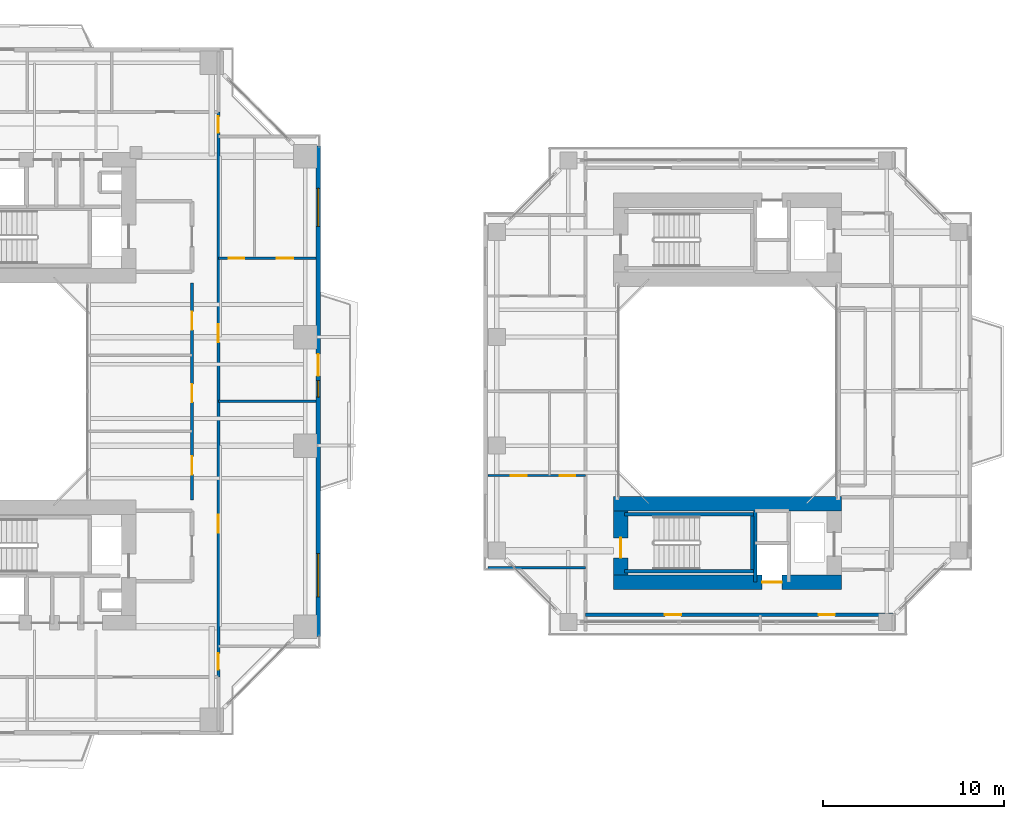
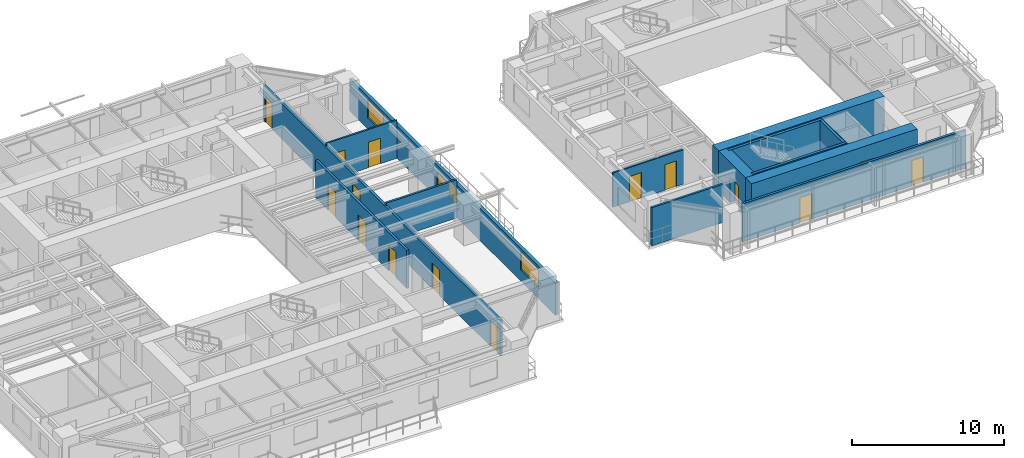
# One storey, part 15 of 24: 16 doors, 15 walls, 3 windows, 19 openings.
"""IFC4 building model written with IfcOpenShell, lengths in metres."""

from ifc_helpers import new_model, si_unit, direction, frame, frame_2d, origin, place, context, subcontext, project, spatial, rectangle, extrude, source, transform, mapped, material, layer, layer_set, type_object, element, fill, save


model = new_model("IFC4")

# Units and contexts
model_context = context("Model", 3, precision=1e-05, world=origin(), true_north=direction((0.0, 1.0)))
body_context = subcontext(model_context, "Body", "Model", "MODEL_VIEW")
ifc_project = project(units=[si_unit("LENGTHUNIT", "METRE"), si_unit("AREAUNIT", "SQUARE_METRE"), si_unit("VOLUMEUNIT", "CUBIC_METRE"), si_unit("PLANEANGLEUNIT", "RADIAN"), si_unit("MASSUNIT", "GRAM", prefix="KILO"), si_unit("THERMODYNAMICTEMPERATUREUNIT", "KELVIN"), si_unit("POWERUNIT", "WATT")], contexts=[model_context])

# Site, building, storey
site_placement = place(None, origin())
site = spatial("IfcSite", under=ifc_project, at=site_placement, CompositionType="ELEMENT")
building_placement = place(site_placement, origin())
building = spatial("IfcBuilding", under=site, at=building_placement, Name="Qiaomeng Ring Towers", CompositionType="ELEMENT")
storey_placement = place(building_placement, frame((0.0, 0.0, 63.25)))
storey = spatial("IfcBuildingStorey", under=building, at=storey_placement, Name="L17", CompositionType="ELEMENT", Elevation=63.25)

# Wall, openings, windows, door
ifc_material_1 = material(Name="Precast concrete C40", Category="concrete")
ifc_layer_1 = layer(ifc_material_1, 0.25, Name="Precast concrete C40")
ifc_layer_set_1 = layer_set([ifc_layer_1], Name="Precast concrete C40")
wall_type_1 = type_object("IfcWallType", Name="ARC-WL-EW1", PredefinedType="STANDARD", material=ifc_layer_set_1)
wall_1_placement = place(storey_placement, frame((37.875, 9.449951171875, 0.0), z_axis=(0.0, 0.0, 1.0), x_axis=(0.0, 1.0, 0.0)))
wall_1 = element("IfcWall", 1, at=wall_1_placement, inside=storey, type_object=wall_type_1, Name="L17 Tower 1 E Exterior Wall", PredefinedType="STANDARD", context=body_context, shape_type="SweptSolid", body=[
    extrude(rectangle(XDim=27.10009765625, YDim=0.25, at=frame_2d((13.550048828125, 0.0))), origin(), (0.0, 0.0, 1.0), 2.610107421875),
])
opening_1_placement = place(wall_1_placement, frame((14.39990234375, 0.0, 0.0)))
opening_1 = element("IfcOpeningElement", 2, at=opening_1_placement, cuts=wall_1, Name="Opening BD1", PredefinedType="OPENING", context=body_context, shape_type="SweptSolid", body=[
    extrude(rectangle(XDim=1.199951171875, YDim=2.10009765625, at=frame_2d((0.60009765625, 1.050048828125))), frame((0.0, 0.135009765625, 0.0), z_axis=(0.0, -1.0, 0.0), x_axis=(1.0, 0.0, 0.0)), (0.0, 0.0, 1.0), 0.27001953125),
])
opening_2_placement = place(wall_1_placement, frame((2.18798828125, 0.0, 0.89990234375)))
opening_2 = element("IfcOpeningElement", 3, at=opening_2_placement, cuts=wall_1, Name="Opening WN6", PredefinedType="OPENING", context=body_context, shape_type="SweptSolid", body=[
    extrude(rectangle(XDim=2.39990234375, YDim=1.47998046875, at=frame_2d((1.199951171875, 0.739990234375))), frame((0.0, 0.135009765625, 0.0), z_axis=(0.0, -1.0, 0.0), x_axis=(1.0, 0.0, 0.0)), (0.0, 0.0, 1.0), 0.27001953125),
])
opening_3_placement = place(wall_1_placement, frame((22.6630859375, 0.0, 0.89990234375)))
opening_3 = element("IfcOpeningElement", 4, at=opening_3_placement, cuts=wall_1, Name="Opening WN4", PredefinedType="OPENING", context=body_context, shape_type="SweptSolid", body=[
    extrude(rectangle(XDim=2.10009765625, YDim=1.47998046875, at=frame_2d((1.050048828125, 0.739990234375))), frame((0.0, 0.135009765625, 0.0), z_axis=(0.0, -1.0, 0.0), x_axis=(1.0, 0.0, 0.0)), (0.0, 0.0, 1.0), 0.27001953125),
])
opening_4_placement = place(wall_1_placement, frame((13.235107421875, 0.0, 0.89990234375)))
opening_4 = element("IfcOpeningElement", 5, at=opening_4_placement, cuts=wall_1, Name="Opening WN5", PredefinedType="OPENING", context=body_context, shape_type="SweptSolid", body=[
    extrude(rectangle(XDim=0.89990234375, YDim=1.199951171875, at=frame_2d((0.449951171875, 0.60009765625))), frame((0.0, 0.135009765625, 0.0), z_axis=(0.0, -1.0, 0.0), x_axis=(1.0, 0.0, 0.0)), (0.0, 0.0, 1.0), 0.27001953125),
])
ifc_material_2 = material(Name="Low-E dark-grey laminated double glazing", Category="glass")
window_type_1 = type_object("IfcWindowType", Name="ARC-WN-4", PartitioningType="TRIPLE_PANEL_VERTICAL", PredefinedType="WINDOW", material=ifc_material_2)
shared_shape_1 = source(origin(), body_context, "Body", "SweptSolid", [
    extrude(rectangle(XDim=2.10009765625, YDim=1.47998046875, at=frame_2d((1.050048828125, 0.739990234375))), frame((0.0, 0.030029296875, 0.0), z_axis=(0.0, -1.0, 0.0), x_axis=(1.0, 0.0, 0.0)), (0.0, 0.0, 1.0), 0.06005859375),
])
window_1_placement = place(opening_3_placement, origin())
window_1 = element("IfcWindow", 6, at=window_1_placement, inside=storey, type_object=window_type_1, Name="L17 Exterior Window WN4", OverallHeight=1.47998046875, OverallWidth=2.10009765625, PartitioningType="TRIPLE_PANEL_VERTICAL", PredefinedType="WINDOW", context=body_context, shape_type="MappedRepresentation", body=[
    mapped(shared_shape_1, transform((0.0, 0.0, 0.0), x_axis=(1.0, 0.0, 0.0), y_axis=(0.0, 1.0, 0.0), z_axis=(0.0, 0.0, 1.0), scale=1.0)),
])
fill(opening_3, window_1)
window_type_2 = type_object("IfcWindowType", Name="ARC-WN-6", PartitioningType="TRIPLE_PANEL_VERTICAL", PredefinedType="WINDOW", material=ifc_material_2)
shared_shape_2 = source(origin(), body_context, "Body", "SweptSolid", [
    extrude(rectangle(XDim=2.39990234375, YDim=1.47998046875, at=frame_2d((1.199951171875, 0.739990234375))), frame((0.0, 0.030029296875, 0.0), z_axis=(0.0, -1.0, 0.0), x_axis=(1.0, 0.0, 0.0)), (0.0, 0.0, 1.0), 0.06005859375),
])
window_2_placement = place(opening_2_placement, origin())
window_2 = element("IfcWindow", 7, at=window_2_placement, inside=storey, type_object=window_type_2, Name="L17 Exterior Window WN6", OverallHeight=1.47998046875, OverallWidth=2.39990234375, PartitioningType="TRIPLE_PANEL_VERTICAL", PredefinedType="WINDOW", context=body_context, shape_type="MappedRepresentation", body=[
    mapped(shared_shape_2, transform((0.0, 0.0, 0.0), x_axis=(1.0, 0.0, 0.0), y_axis=(0.0, 1.0, 0.0), z_axis=(0.0, 0.0, 1.0), scale=1.0)),
])
fill(opening_2, window_2)
door_type_1 = type_object("IfcDoorType", Name="ARC-DR-BD1", OperationType="NOTDEFINED", PredefinedType="DOOR", material=ifc_material_2)
shared_shape_3 = source(origin(), body_context, "Body", "SweptSolid", [
    extrude(rectangle(XDim=1.199951171875, YDim=2.10009765625, at=frame_2d((0.60009765625, 1.050048828125))), frame((0.0, 0.02490234375, 0.0), z_axis=(0.0, -1.0, 0.0), x_axis=(1.0, 0.0, 0.0)), (0.0, 0.0, 1.0), 0.050048828125),
])
door_1_placement = place(opening_1_placement, origin())
door_1 = element("IfcDoor", 8, at=door_1_placement, inside=storey, type_object=door_type_1, Name="L17 E Balcony Glazed Door", OperationType="SINGLE_SWING_LEFT", OverallHeight=2.10009765625, OverallWidth=1.199951171875, PredefinedType="DOOR", context=body_context, shape_type="MappedRepresentation", body=[
    mapped(shared_shape_3, transform((0.0, 0.0, 0.0), x_axis=(1.0, 0.0, 0.0), y_axis=(0.0, 1.0, 0.0), z_axis=(0.0, 0.0, 1.0), scale=1.0)),
])
fill(opening_1, door_1)
window_type_3 = type_object("IfcWindowType", Name="ARC-WN-5", PartitioningType="SINGLE_PANEL", PredefinedType="WINDOW", material=ifc_material_2)
shared_shape_4 = source(origin(), body_context, "Body", "SweptSolid", [
    extrude(rectangle(XDim=0.89990234375, YDim=1.199951171875, at=frame_2d((0.449951171875, 0.60009765625))), frame((0.0, 0.030029296875, 0.0), z_axis=(0.0, -1.0, 0.0), x_axis=(1.0, 0.0, 0.0)), (0.0, 0.0, 1.0), 0.06005859375),
])
window_3_placement = place(opening_4_placement, origin())
window_3 = element("IfcWindow", 9, at=window_3_placement, inside=storey, type_object=window_type_3, Name="L17 Exterior Window WN5", OverallHeight=1.199951171875, OverallWidth=0.89990234375, PartitioningType="SINGLE_PANEL", PredefinedType="WINDOW", context=body_context, shape_type="MappedRepresentation", body=[
    mapped(shared_shape_4, transform((0.0, 0.0, 0.0), x_axis=(1.0, 0.0, 0.0), y_axis=(0.0, 1.0, 0.0), z_axis=(0.0, 0.0, 1.0), scale=1.0)),
])
fill(opening_4, window_3)

# Wall, openings, doors
ifc_material_3 = material(Name="Autoclaved aerated concrete block", Category="concrete")
ifc_layer_2 = layer(ifc_material_3, 0.179931640625, Name="Autoclaved aerated concrete block")
ifc_layer_set_2 = layer_set([ifc_layer_2], Name="Autoclaved aerated concrete block")
wall_type_2 = type_object("IfcWallType", Name="ARC-WL-PW2", PredefinedType="PARTITIONING", material=ifc_layer_set_2)
wall_2_placement = place(storey_placement, frame((32.360107421875, 7.2099609375, 0.0), z_axis=(0.0, 0.0, 1.0), x_axis=(0.0, 1.0, 0.0)))
wall_2 = element("IfcWall", 10, at=wall_2_placement, inside=storey, type_object=wall_type_2, Name="L17 Interior Wall PW2", PredefinedType="PARTITIONING", context=body_context, shape_type="SweptSolid", body=[
    extrude(rectangle(XDim=31.22998046875, YDim=0.179931640625, at=frame_2d((15.614990234375, 0.0))), origin(), (0.0, 0.0, 1.0), 2.864990234375),
])
opening_5_placement = place(wall_2_placement, frame((30.090087890625, 0.0, 0.0)))
opening_5 = element("IfcOpeningElement", 11, at=opening_5_placement, cuts=wall_2, Name="Opening ID1", PredefinedType="OPENING", context=body_context, shape_type="SweptSolid", body=[
    extrude(rectangle(XDim=0.89990234375, YDim=2.050048828125, at=frame_2d((0.449951171875, 1.02490234375))), frame((0.0, 0.099853515625, 0.0), z_axis=(0.0, -1.0, 0.0), x_axis=(1.0, 0.0, 0.0)), (0.0, 0.0, 1.0), 0.199951171875),
])
opening_6_placement = place(wall_2_placement, frame((0.4150390625, 0.0, 0.0)))
opening_6 = element("IfcOpeningElement", 12, at=opening_6_placement, cuts=wall_2, Name="Opening ID1", PredefinedType="OPENING", context=body_context, shape_type="SweptSolid", body=[
    extrude(rectangle(XDim=0.89990234375, YDim=2.050048828125, at=frame_2d((0.449951171875, 1.02490234375))), frame((0.0, 0.099853515625, 0.0), z_axis=(0.0, -1.0, 0.0), x_axis=(1.0, 0.0, 0.0)), (0.0, 0.0, 1.0), 0.199951171875),
])
opening_7_placement = place(wall_2_placement, frame((7.97509765625, 0.0, 0.0)))
opening_7 = element("IfcOpeningElement", 13, at=opening_7_placement, cuts=wall_2, Name="Opening FD4", PredefinedType="OPENING", context=body_context, shape_type="SweptSolid", body=[
    extrude(rectangle(XDim=1.0, YDim=2.050048828125, at=frame_2d((0.5, 1.02490234375))), frame((0.0, 0.099853515625, 0.0), z_axis=(0.0, -1.0, 0.0), x_axis=(1.0, 0.0, 0.0)), (0.0, 0.0, 1.0), 0.199951171875),
])
opening_8_placement = place(wall_2_placement, frame((18.5, 0.0, 0.0)))
opening_8 = element("IfcOpeningElement", 14, at=opening_8_placement, cuts=wall_2, Name="Opening FD4", PredefinedType="OPENING", context=body_context, shape_type="SweptSolid", body=[
    extrude(rectangle(XDim=1.0, YDim=2.050048828125, at=frame_2d((0.5, 1.02490234375))), frame((0.0, 0.099853515625, 0.0), z_axis=(0.0, -1.0, 0.0), x_axis=(1.0, 0.0, 0.0)), (0.0, 0.0, 1.0), 0.199951171875),
])
ifc_material_4 = material(Name="Engineered fire-rated oak timber", Category="wood")
door_type_2 = type_object("IfcDoorType", Name="ARC-DR-FD4", OperationType="NOTDEFINED", PredefinedType="DOOR", material=ifc_material_4)
shared_shape_5 = source(origin(), body_context, "Body", "SweptSolid", [
    extrude(rectangle(XDim=1.0, YDim=2.050048828125, at=frame_2d((0.5, 1.02490234375))), frame((0.0, 0.02490234375, 0.0), z_axis=(0.0, -1.0, 0.0), x_axis=(1.0, 0.0, 0.0)), (0.0, 0.0, 1.0), 0.050048828125),
])
door_2_placement = place(opening_7_placement, origin())
door_2 = element("IfcDoor", 15, at=door_2_placement, inside=storey, type_object=door_type_2, Name="L17 Door FD4", OperationType="SINGLE_SWING_RIGHT", OverallHeight=2.050048828125, OverallWidth=1.0, PredefinedType="DOOR", context=body_context, shape_type="MappedRepresentation", body=[
    mapped(shared_shape_5, transform((0.0, 0.0, 0.0), x_axis=(1.0, 0.0, 0.0), y_axis=(0.0, 1.0, 0.0), z_axis=(0.0, 0.0, 1.0), scale=1.0)),
])
fill(opening_7, door_2)
door_3_placement = place(opening_8_placement, origin())
door_3 = element("IfcDoor", 16, at=door_3_placement, inside=storey, type_object=door_type_2, Name="L17 Door FD4", OperationType="SINGLE_SWING_LEFT", OverallHeight=2.050048828125, OverallWidth=1.0, PredefinedType="DOOR", context=body_context, shape_type="MappedRepresentation", body=[
    mapped(shared_shape_5, transform((0.0, 0.0, 0.0), x_axis=(1.0, 0.0, 0.0), y_axis=(0.0, 1.0, 0.0), z_axis=(0.0, 0.0, 1.0), scale=1.0)),
])
fill(opening_8, door_3)
ifc_material_5 = material(Name="Engineered oak timber", Category="wood")
door_type_3 = type_object("IfcDoorType", Name="ARC-DR-ID1", OperationType="NOTDEFINED", PredefinedType="DOOR", material=ifc_material_5)
shared_shape_6 = source(origin(), body_context, "Body", "SweptSolid", [
    extrude(rectangle(XDim=0.89990234375, YDim=2.050048828125, at=frame_2d((0.449951171875, 1.02490234375))), frame((0.0, 0.02490234375, 0.0), z_axis=(0.0, -1.0, 0.0), x_axis=(1.0, 0.0, 0.0)), (0.0, 0.0, 1.0), 0.050048828125),
])
door_4_placement = place(opening_5_placement, origin())
door_4 = element("IfcDoor", 17, at=door_4_placement, inside=storey, type_object=door_type_3, Name="L17 Door ID1", OperationType="SINGLE_SWING_RIGHT", OverallHeight=2.050048828125, OverallWidth=0.89990234375, PredefinedType="DOOR", context=body_context, shape_type="MappedRepresentation", body=[
    mapped(shared_shape_6, transform((0.0, 0.0, 0.0), x_axis=(1.0, 0.0, 0.0), y_axis=(0.0, 1.0, 0.0), z_axis=(0.0, 0.0, 1.0), scale=1.0)),
])
fill(opening_5, door_4)
door_5_placement = place(opening_6_placement, origin())
door_5 = element("IfcDoor", 18, at=door_5_placement, inside=storey, type_object=door_type_3, Name="L17 Door ID1", OperationType="SINGLE_SWING_LEFT", OverallHeight=2.050048828125, OverallWidth=0.89990234375, PredefinedType="DOOR", context=body_context, shape_type="MappedRepresentation", body=[
    mapped(shared_shape_6, transform((0.0, 0.0, 0.0), x_axis=(1.0, 0.0, 0.0), y_axis=(0.0, 1.0, 0.0), z_axis=(0.0, 0.0, 1.0), scale=1.0)),
])
fill(opening_6, door_5)

wall_3_placement = place(storey_placement, frame((30.89990234375, 17.0, 0.0), z_axis=(0.0, 0.0, 1.0), x_axis=(0.0, 1.0, 0.0)))
wall_3 = element("IfcWall", 19, at=wall_3_placement, inside=storey, type_object=wall_type_2, Name="L17 Interior Wall PW2", PredefinedType="PARTITIONING", context=body_context, shape_type="SweptSolid", body=[
    extrude(rectangle(XDim=12.0, YDim=0.179931640625, at=frame_2d((6.0, 0.0))), origin(), (0.0, 0.0, 1.0), 3.070068359375),
])
opening_9_placement = place(wall_3_placement, frame((1.39990234375, 0.0, 0.0)))
opening_9 = element("IfcOpeningElement", 20, at=opening_9_placement, cuts=wall_3, Name="Opening FD4", PredefinedType="OPENING", context=body_context, shape_type="SweptSolid", body=[
    extrude(rectangle(XDim=1.0, YDim=2.050048828125, at=frame_2d((0.5, 1.02490234375))), frame((0.0, 0.099853515625, 0.0), z_axis=(0.0, -1.0, 0.0), x_axis=(1.0, 0.0, 0.0)), (0.0, 0.0, 1.0), 0.199951171875),
])
opening_10_placement = place(wall_3_placement, frame((5.39990234375, 0.0, 0.0)))
opening_10 = element("IfcOpeningElement", 21, at=opening_10_placement, cuts=wall_3, Name="Opening FD4", PredefinedType="OPENING", context=body_context, shape_type="SweptSolid", body=[
    extrude(rectangle(XDim=1.0, YDim=2.050048828125, at=frame_2d((0.5, 1.02490234375))), frame((0.0, 0.099853515625, 0.0), z_axis=(0.0, -1.0, 0.0), x_axis=(1.0, 0.0, 0.0)), (0.0, 0.0, 1.0), 0.199951171875),
])
opening_11_placement = place(wall_3_placement, frame((9.39990234375, 0.0, 0.0)))
opening_11 = element("IfcOpeningElement", 22, at=opening_11_placement, cuts=wall_3, Name="Opening FD4", PredefinedType="OPENING", context=body_context, shape_type="SweptSolid", body=[
    extrude(rectangle(XDim=1.0, YDim=2.050048828125, at=frame_2d((0.5, 1.02490234375))), frame((0.0, 0.099853515625, 0.0), z_axis=(0.0, -1.0, 0.0), x_axis=(1.0, 0.0, 0.0)), (0.0, 0.0, 1.0), 0.199951171875),
])
door_6_placement = place(opening_9_placement, origin())
door_6 = element("IfcDoor", 23, at=door_6_placement, inside=storey, type_object=door_type_2, Name="L17 Door FD4", OperationType="SINGLE_SWING_RIGHT", OverallHeight=2.050048828125, OverallWidth=1.0, PredefinedType="DOOR", context=body_context, shape_type="MappedRepresentation", body=[
    mapped(shared_shape_5, transform((0.0, 0.0, 0.0), x_axis=(1.0, 0.0, 0.0), y_axis=(0.0, 1.0, 0.0), z_axis=(0.0, 0.0, 1.0), scale=1.0)),
])
fill(opening_9, door_6)
door_7_placement = place(opening_10_placement, origin())
door_7 = element("IfcDoor", 24, at=door_7_placement, inside=storey, type_object=door_type_2, Name="L17 Door FD4", OperationType="SINGLE_SWING_LEFT", OverallHeight=2.050048828125, OverallWidth=1.0, PredefinedType="DOOR", context=body_context, shape_type="MappedRepresentation", body=[
    mapped(shared_shape_5, transform((0.0, 0.0, 0.0), x_axis=(1.0, 0.0, 0.0), y_axis=(0.0, 1.0, 0.0), z_axis=(0.0, 0.0, 1.0), scale=1.0)),
])
fill(opening_10, door_7)
door_8_placement = place(opening_11_placement, origin())
door_8 = element("IfcDoor", 25, at=door_8_placement, inside=storey, type_object=door_type_2, Name="L17 Door FD4", OperationType="SINGLE_SWING_RIGHT", OverallHeight=2.050048828125, OverallWidth=1.0, PredefinedType="DOOR", context=body_context, shape_type="MappedRepresentation", body=[
    mapped(shared_shape_5, transform((0.0, 0.0, 0.0), x_axis=(1.0, 0.0, 0.0), y_axis=(0.0, 1.0, 0.0), z_axis=(0.0, 0.0, 1.0), scale=1.0)),
])
fill(opening_11, door_8)

wall_4_placement = place(storey_placement, frame((52.64990234375, 10.64990234375, 0.0), z_axis=(0.0, 0.0, 1.0), x_axis=(1.0, 0.0, 0.0)))
wall_4 = element("IfcWall", 26, at=wall_4_placement, inside=storey, type_object=wall_type_2, Name="L17 Interior Wall PW2", PredefinedType="PARTITIONING", context=body_context, shape_type="SweptSolid", body=[
    extrude(rectangle(XDim=17.0, YDim=0.179931640625, at=frame_2d((8.5, 0.0))), origin(), (0.0, 0.0, 1.0), 3.070068359375),
])
opening_12_placement = place(wall_4_placement, frame((4.375, 0.0, 0.0)))
opening_12 = element("IfcOpeningElement", 27, at=opening_12_placement, cuts=wall_4, Name="Opening ID1", PredefinedType="OPENING", context=body_context, shape_type="SweptSolid", body=[
    extrude(rectangle(XDim=0.89990234375, YDim=2.050048828125, at=frame_2d((0.449951171875, 1.02490234375))), frame((0.0, 0.099853515625, 0.0), z_axis=(0.0, -1.0, 0.0), x_axis=(1.0, 0.0, 0.0)), (0.0, 0.0, 1.0), 0.199951171875),
])
opening_13_placement = place(wall_4_placement, frame((12.875, 0.0, 0.0)))
opening_13 = element("IfcOpeningElement", 28, at=opening_13_placement, cuts=wall_4, Name="Opening ID1", PredefinedType="OPENING", context=body_context, shape_type="SweptSolid", body=[
    extrude(rectangle(XDim=0.89990234375, YDim=2.050048828125, at=frame_2d((0.449951171875, 1.02490234375))), frame((0.0, 0.099853515625, 0.0), z_axis=(0.0, -1.0, 0.0), x_axis=(1.0, 0.0, 0.0)), (0.0, 0.0, 1.0), 0.199951171875),
])
door_9_placement = place(opening_12_placement, origin())
door_9 = element("IfcDoor", 29, at=door_9_placement, inside=storey, type_object=door_type_3, Name="L17 Door ID1", OperationType="SINGLE_SWING_LEFT", OverallHeight=2.050048828125, OverallWidth=0.89990234375, PredefinedType="DOOR", context=body_context, shape_type="MappedRepresentation", body=[
    mapped(shared_shape_6, transform((0.0, 0.0, 0.0), x_axis=(1.0, 0.0, 0.0), y_axis=(0.0, 1.0, 0.0), z_axis=(0.0, 0.0, 1.0), scale=1.0)),
])
fill(opening_12, door_9)
door_10_placement = place(opening_13_placement, origin())
door_10 = element("IfcDoor", 30, at=door_10_placement, inside=storey, type_object=door_type_3, Name="L17 Door ID1", OperationType="SINGLE_SWING_RIGHT", OverallHeight=2.050048828125, OverallWidth=0.89990234375, PredefinedType="DOOR", context=body_context, shape_type="MappedRepresentation", body=[
    mapped(shared_shape_6, transform((0.0, 0.0, 0.0), x_axis=(1.0, 0.0, 0.0), y_axis=(0.0, 1.0, 0.0), z_axis=(0.0, 0.0, 1.0), scale=1.0)),
])
fill(opening_13, door_10)

# Walls
ifc_material_6 = material(Name="Gypsum fireboard steel-stud partition", Category="steel")
ifc_layer_3 = layer(ifc_material_6, 0.14990234375, Name="Gypsum fireboard steel-stud partition")
ifc_layer_set_3 = layer_set([ifc_layer_3], Name="Gypsum fireboard steel-stud partition")
wall_type_3 = type_object("IfcWallType", Name="ARC-WL-PW3", PredefinedType="PARTITIONING", material=ifc_layer_set_3)
wall_5_placement = place(storey_placement, frame((32.360107421875, 22.449951171875, 0.0), z_axis=(0.0, 0.0, 1.0), x_axis=(1.0, 0.0, 0.0)))
element("IfcWall", 31, at=wall_5_placement, inside=storey, type_object=wall_type_3, Name="L17 Interior Wall PW3", PredefinedType="PARTITIONING", context=body_context, shape_type="SweptSolid", body=[
    extrude(rectangle(XDim=5.389892578125, YDim=0.14990234375, at=frame_2d((2.69482421875, 0.0))), origin(), (0.0, 0.0, 1.0), 3.070068359375),
])
wall_6_placement = place(storey_placement, frame((47.25, 13.25, 0.0), z_axis=(0.0, 0.0, 1.0), x_axis=(1.0, 0.0, 0.0)))
element("IfcWall", 32, at=wall_6_placement, inside=storey, type_object=wall_type_3, Name="L17 Interior Wall PW3", PredefinedType="PARTITIONING", context=body_context, shape_type="SweptSolid", body=[
    extrude(rectangle(XDim=5.39990234375, YDim=0.14990234375, at=frame_2d((2.699951171875, 0.0))), origin(), (0.0, 0.0, 1.0), 3.070068359375),
])

# Wall, openings, doors
ifc_material_7 = material(Name="Moisture-resistant gypsum steel-stud partition", Category="steel")
ifc_layer_4 = layer(ifc_material_7, 0.1201171875, Name="Moisture-resistant gypsum steel-stud partition")
ifc_layer_set_4 = layer_set([ifc_layer_4], Name="Moisture-resistant gypsum steel-stud partition")
wall_type_4 = type_object("IfcWallType", Name="ARC-WL-PW4", PredefinedType="PLUMBINGWALL", material=ifc_layer_set_4)
wall_7_placement = place(storey_placement, frame((32.360107421875, 30.35009765625, 0.0), z_axis=(0.0, 0.0, 1.0), x_axis=(1.0, 0.0, 0.0)))
wall_7 = element("IfcWall", 33, at=wall_7_placement, inside=storey, type_object=wall_type_4, Name="L17 Interior Wall PW4", PredefinedType="PLUMBINGWALL", context=body_context, shape_type="SweptSolid", body=[
    extrude(rectangle(XDim=5.389892578125, YDim=0.1201171875, at=frame_2d((2.69482421875, 0.0))), origin(), (0.0, 0.0, 1.0), 3.070068359375),
])
opening_14_placement = place(wall_7_placement, frame((0.580078125, 0.0, 0.0)))
opening_14 = element("IfcOpeningElement", 34, at=opening_14_placement, cuts=wall_7, Name="Opening ID2", PredefinedType="OPENING", context=body_context, shape_type="SweptSolid", body=[
    extrude(rectangle(XDim=0.85009765625, YDim=2.050048828125, at=frame_2d((0.425048828125, 1.02490234375))), frame((0.0, 0.070068359375, 0.0), z_axis=(0.0, -1.0, 0.0), x_axis=(1.0, 0.0, 0.0)), (0.0, 0.0, 1.0), 0.14013671875),
])
opening_15_placement = place(wall_7_placement, frame((3.22998046875, 0.0, 0.0)))
opening_15 = element("IfcOpeningElement", 35, at=opening_15_placement, cuts=wall_7, Name="Opening ID1", PredefinedType="OPENING", context=body_context, shape_type="SweptSolid", body=[
    extrude(rectangle(XDim=0.89990234375, YDim=2.050048828125, at=frame_2d((0.449951171875, 1.02490234375))), frame((0.0, 0.070068359375, 0.0), z_axis=(0.0, -1.0, 0.0), x_axis=(1.0, 0.0, 0.0)), (0.0, 0.0, 1.0), 0.14013671875),
])
ifc_material_8 = material(Name="Moisture-resistant engineered timber", Category="wood")
door_type_4 = type_object("IfcDoorType", Name="ARC-DR-ID2", OperationType="NOTDEFINED", PredefinedType="DOOR", material=ifc_material_8)
shared_shape_7 = source(origin(), body_context, "Body", "SweptSolid", [
    extrude(rectangle(XDim=0.85009765625, YDim=2.050048828125, at=frame_2d((0.425048828125, 1.02490234375))), frame((0.0, 0.02490234375, 0.0), z_axis=(0.0, -1.0, 0.0), x_axis=(1.0, 0.0, 0.0)), (0.0, 0.0, 1.0), 0.050048828125),
])
door_11_placement = place(opening_14_placement, origin())
door_11 = element("IfcDoor", 36, at=door_11_placement, inside=storey, type_object=door_type_4, Name="L17 Door ID2", OperationType="SINGLE_SWING_LEFT", OverallHeight=2.050048828125, OverallWidth=0.85009765625, PredefinedType="DOOR", context=body_context, shape_type="MappedRepresentation", body=[
    mapped(shared_shape_7, transform((0.0, 0.0, 0.0), x_axis=(1.0, 0.0, 0.0), y_axis=(0.0, 1.0, 0.0), z_axis=(0.0, 0.0, 1.0), scale=1.0)),
])
fill(opening_14, door_11)
door_12_placement = place(opening_15_placement, origin())
door_12 = element("IfcDoor", 37, at=door_12_placement, inside=storey, type_object=door_type_3, Name="L17 Door ID1", OperationType="SINGLE_SWING_RIGHT", OverallHeight=2.050048828125, OverallWidth=0.89990234375, PredefinedType="DOOR", context=body_context, shape_type="MappedRepresentation", body=[
    mapped(shared_shape_6, transform((0.0, 0.0, 0.0), x_axis=(1.0, 0.0, 0.0), y_axis=(0.0, 1.0, 0.0), z_axis=(0.0, 0.0, 1.0), scale=1.0)),
])
fill(opening_15, door_12)

wall_8_placement = place(storey_placement, frame((47.25, 18.340087890625, 0.0), z_axis=(0.0, 0.0, 1.0), x_axis=(1.0, 0.0, 0.0)))
wall_8 = element("IfcWall", 38, at=wall_8_placement, inside=storey, type_object=wall_type_4, Name="L17 Interior Wall PW4", PredefinedType="PLUMBINGWALL", context=body_context, shape_type="SweptSolid", body=[
    extrude(rectangle(XDim=5.39990234375, YDim=0.1201171875, at=frame_2d((2.699951171875, 0.0))), origin(), (0.0, 0.0, 1.0), 2.77099609375),
])
opening_16_placement = place(wall_8_placement, frame((1.260009765625, 0.0, 0.0)))
opening_16 = element("IfcOpeningElement", 39, at=opening_16_placement, cuts=wall_8, Name="Opening ID1", PredefinedType="OPENING", context=body_context, shape_type="SweptSolid", body=[
    extrude(rectangle(XDim=0.89990234375, YDim=2.050048828125, at=frame_2d((0.449951171875, 1.02490234375))), frame((0.0, 0.070068359375, 0.0), z_axis=(0.0, -1.0, 0.0), x_axis=(1.0, 0.0, 0.0)), (0.0, 0.0, 1.0), 0.14013671875),
])
opening_17_placement = place(wall_8_placement, frame((3.965087890625, 0.0, 0.0)))
opening_17 = element("IfcOpeningElement", 40, at=opening_17_placement, cuts=wall_8, Name="Opening ID2", PredefinedType="OPENING", context=body_context, shape_type="SweptSolid", body=[
    extrude(rectangle(XDim=0.85009765625, YDim=2.050048828125, at=frame_2d((0.425048828125, 1.02490234375))), frame((0.0, 0.070068359375, 0.0), z_axis=(0.0, -1.0, 0.0), x_axis=(1.0, 0.0, 0.0)), (0.0, 0.0, 1.0), 0.14013671875),
])
door_13_placement = place(opening_17_placement, origin())
door_13 = element("IfcDoor", 41, at=door_13_placement, inside=storey, type_object=door_type_4, Name="L17 Door ID2", OperationType="SINGLE_SWING_RIGHT", OverallHeight=2.050048828125, OverallWidth=0.85009765625, PredefinedType="DOOR", context=body_context, shape_type="MappedRepresentation", body=[
    mapped(shared_shape_7, transform((0.0, 0.0, 0.0), x_axis=(1.0, 0.0, 0.0), y_axis=(0.0, 1.0, 0.0), z_axis=(0.0, 0.0, 1.0), scale=1.0)),
])
fill(opening_17, door_13)
door_14_placement = place(opening_16_placement, origin())
door_14 = element("IfcDoor", 42, at=door_14_placement, inside=storey, type_object=door_type_3, Name="L17 Door ID1", OperationType="SINGLE_SWING_LEFT", OverallHeight=2.050048828125, OverallWidth=0.89990234375, PredefinedType="DOOR", context=body_context, shape_type="MappedRepresentation", body=[
    mapped(shared_shape_6, transform((0.0, 0.0, 0.0), x_axis=(1.0, 0.0, 0.0), y_axis=(0.0, 1.0, 0.0), z_axis=(0.0, 0.0, 1.0), scale=1.0)),
])
fill(opening_16, door_14)

# Walls
ifc_material_9 = material(Name="Concrete C40", Category="concrete")
ifc_layer_5 = layer(ifc_material_9, 0.199951171875, Name="Concrete C40")
ifc_layer_set_5 = layer_set([ifc_layer_5], Name="Concrete C40")
wall_type_5 = type_object("IfcWallType", Name="STR-WL-STSHAFT", PredefinedType="SHEAR", material=ifc_layer_set_5)
wall_9_placement = place(storey_placement, frame((62.02001953125, 12.449951171875, 0.0), z_axis=(0.0, 0.0, 1.0), x_axis=(0.0, 1.0, 0.0)))
element("IfcWall", 43, at=wall_9_placement, inside=storey, type_object=wall_type_5, Name="L17 Companion Lift Shaft West Wall S", PredefinedType="SHEAR", context=body_context, shape_type="SweptSolid", body=[
    extrude(rectangle(XDim=3.949951171875, YDim=0.179931640625, at=frame_2d((1.97509765625, 0.0))), origin(), (0.0, 0.0, 1.0), 3.070068359375),
])
for number, where, z_axis, x_axis, name in (
    (44, (54.800048828125, 13.06005859375, 0.0), (0.0, 0.0, 1.0), (1.0, 0.0, 0.0), "L17 Stair ST6 South Shaft Shear Wall"),
    (45, (54.800048828125, 16.199951171875, 0.0), (0.0, 0.0, 1.0), (1.0, 0.0, 0.0), "L17 Stair ST6 North Shaft Shear Wall"),
):
    element("IfcWall", number, at=place(storey_placement, frame(where, z_axis=z_axis, x_axis=x_axis)), inside=storey, type_object=wall_type_5, Name=name, PredefinedType="SHEAR", context=body_context, shape_type="SweptSolid", body=[
        extrude(rectangle(XDim=7.14990234375, YDim=0.199951171875, at=frame_2d((3.574951171875, 0.0))), origin(), (0.0, 0.0, 1.0), 3.25),
    ])
wall_10_placement = place(storey_placement, frame((61.85009765625, 13.159912109375, 0.0), z_axis=(0.0, 0.0, 1.0), x_axis=(0.0, 1.0, 0.0)))
element("IfcWall", 46, at=wall_10_placement, inside=storey, type_object=wall_type_5, Name="L17 Stair ST6 East Shaft Shear Wall", PredefinedType="SHEAR", context=body_context, shape_type="SweptSolid", body=[
    extrude(rectangle(XDim=2.940185546875, YDim=0.199951171875, at=frame_2d((1.47021484375, 0.0))), origin(), (0.0, 0.0, 1.0), 3.25),
])

# Wall, opening, door
ifc_material_10 = material(Name="Concrete C60", Category="concrete")
ifc_layer_6 = layer(ifc_material_10, 0.800048828125, Name="Concrete C60")
ifc_layer_set_6 = layer_set([ifc_layer_6], Name="Concrete C60")
wall_type_6 = type_object("IfcWallType", Name="STR-WL-SW1", PredefinedType="SHEAR", material=ifc_layer_set_6)
wall_11_placement = place(storey_placement, frame((54.199951171875, 12.449951171875, 0.0), z_axis=(0.0, 0.0, 1.0), x_axis=(1.0, 0.0, 0.0)))
wall_11 = element("IfcWall", 47, at=wall_11_placement, inside=storey, type_object=wall_type_6, Name="L17 T2SC south core shear wall", PredefinedType="SHEAR", context=body_context, shape_type="SweptSolid", body=[
    extrude(rectangle(XDim=12.60009765625, YDim=0.800048828125, at=frame_2d((6.300048828125, 0.0))), origin(), (0.0, 0.0, 1.0), 3.25),
])
opening_18_placement = place(wall_11_placement, frame((8.199951171875, 0.0, 0.0)))
opening_18 = element("IfcOpeningElement", 48, at=opening_18_placement, cuts=wall_11, Name="Opening LD1", PredefinedType="OPENING", context=body_context, shape_type="SweptSolid", body=[
    extrude(rectangle(XDim=1.10009765625, YDim=2.050048828125, at=frame_2d((0.550048828125, 1.02490234375))), frame((0.0, 0.409912109375, 0.0), z_axis=(0.0, -1.0, 0.0), x_axis=(1.0, 0.0, 0.0)), (0.0, 0.0, 1.0), 0.820068359375),
])
ifc_material_11 = material(Name="Stainless steel 316", Category="steel")
door_type_5 = type_object("IfcDoorType", Name="ARC-DR-LD1", OperationType="NOTDEFINED", PredefinedType="DOOR", material=ifc_material_11)
shared_shape_8 = source(origin(), body_context, "Body", "SweptSolid", [
    extrude(rectangle(XDim=1.10009765625, YDim=2.050048828125, at=frame_2d((0.550048828125, 1.02490234375))), frame((0.0, 0.02490234375, 0.0), z_axis=(0.0, -1.0, 0.0), x_axis=(1.0, 0.0, 0.0)), (0.0, 0.0, 1.0), 0.050048828125),
])
door_15_placement = place(opening_18_placement, origin())
door_15 = element("IfcDoor", 49, at=door_15_placement, inside=storey, type_object=door_type_5, Name="L17 Companion Lift LP8 Landing Door", OperationType="SLIDING_TO_RIGHT", OverallHeight=2.050048828125, OverallWidth=1.10009765625, PredefinedType="DOOR", context=body_context, shape_type="MappedRepresentation", body=[
    mapped(shared_shape_8, transform((0.0, 0.0, 0.0), x_axis=(1.0, 0.0, 0.0), y_axis=(0.0, 1.0, 0.0), z_axis=(0.0, 0.0, 1.0), scale=1.0)),
])
fill(opening_18, door_15)

# Wall
wall_12_placement = place(storey_placement, frame((54.199951171875, 16.800048828125, 0.0), z_axis=(0.0, 0.0, 1.0), x_axis=(1.0, 0.0, 0.0)))
element("IfcWall", 50, at=wall_12_placement, inside=storey, type_object=wall_type_6, Name="L17 T2SC north core shear wall", PredefinedType="SHEAR", context=body_context, shape_type="SweptSolid", body=[
    extrude(rectangle(XDim=12.60009765625, YDim=0.800048828125, at=frame_2d((6.300048828125, 0.0))), origin(), (0.0, 0.0, 1.0), 3.25),
])

# Wall, opening, door
wall_13_placement = place(storey_placement, frame((54.60009765625, 12.85009765625, 0.0), z_axis=(0.0, 0.0, 1.0), x_axis=(0.0, 1.0, 0.0)))
wall_13 = element("IfcWall", 51, at=wall_13_placement, inside=storey, type_object=wall_type_6, Name="L17 T2SC west core shear wall", PredefinedType="SHEAR", context=body_context, shape_type="SweptSolid", body=[
    extrude(rectangle(XDim=3.5498046875, YDim=0.800048828125, at=frame_2d((1.77490234375, 0.0))), origin(), (0.0, 0.0, 1.0), 3.25),
])
opening_19_placement = place(wall_13_placement, frame((0.949951171875, 0.0, 0.0)))
opening_19 = element("IfcOpeningElement", 52, at=opening_19_placement, cuts=wall_13, Name="Opening FD3", PredefinedType="OPENING", context=body_context, shape_type="SweptSolid", body=[
    extrude(rectangle(XDim=1.10009765625, YDim=2.050048828125, at=frame_2d((0.550048828125, 1.02490234375))), frame((0.0, 0.409912109375, 0.0), z_axis=(0.0, -1.0, 0.0), x_axis=(1.0, 0.0, 0.0)), (0.0, 0.0, 1.0), 0.820068359375),
])
ifc_material_12 = material(Name="Galvanised steel", Category="steel")
door_type_6 = type_object("IfcDoorType", Name="ARC-DR-FD3", OperationType="NOTDEFINED", PredefinedType="DOOR", material=ifc_material_12)
door_16_placement = place(opening_19_placement, origin())
door_16 = element("IfcDoor", 53, at=door_16_placement, inside=storey, type_object=door_type_6, Name="L17 Stair ST6 Exit Door", OperationType="SINGLE_SWING_RIGHT", OverallHeight=2.050048828125, OverallWidth=1.10009765625, PredefinedType="DOOR", context=body_context, shape_type="MappedRepresentation", body=[
    mapped(shared_shape_8, transform((0.0, 0.0, 0.0), x_axis=(1.0, 0.0, 0.0), y_axis=(0.0, 1.0, 0.0), z_axis=(0.0, 0.0, 1.0), scale=1.0)),
])
fill(opening_19, door_16)

save(model, "model.ifc")
